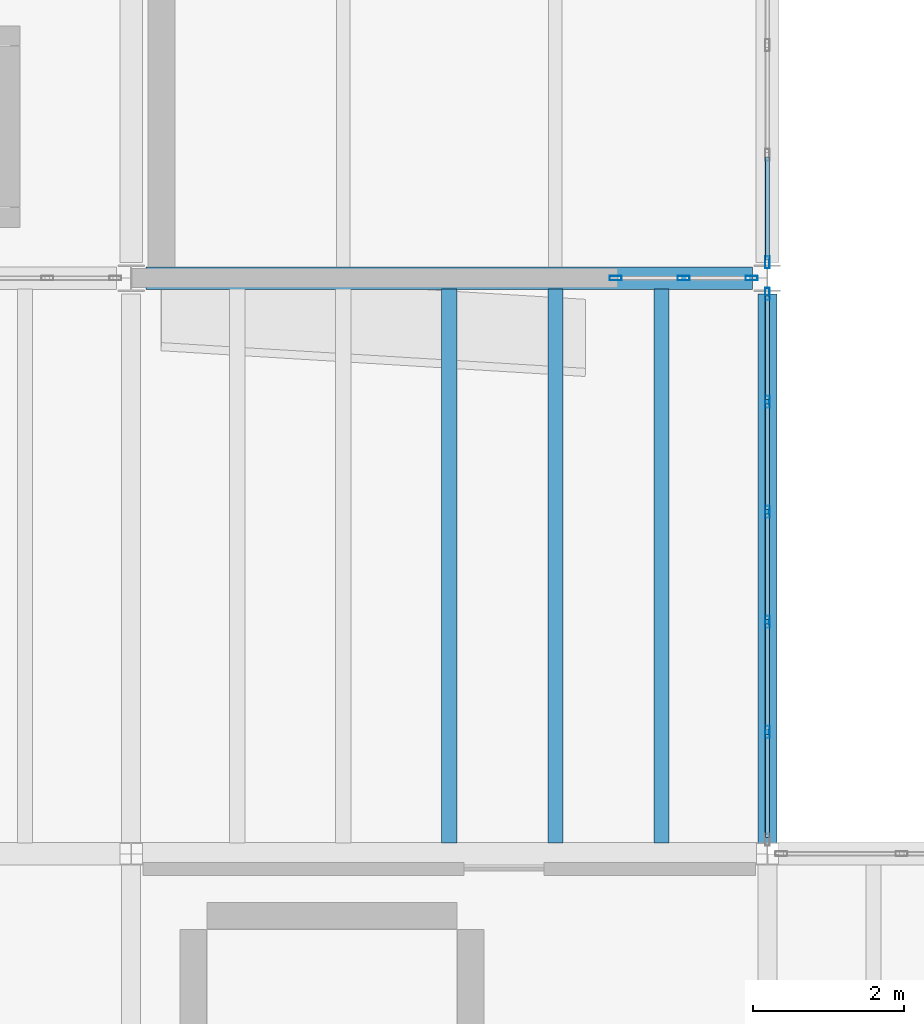
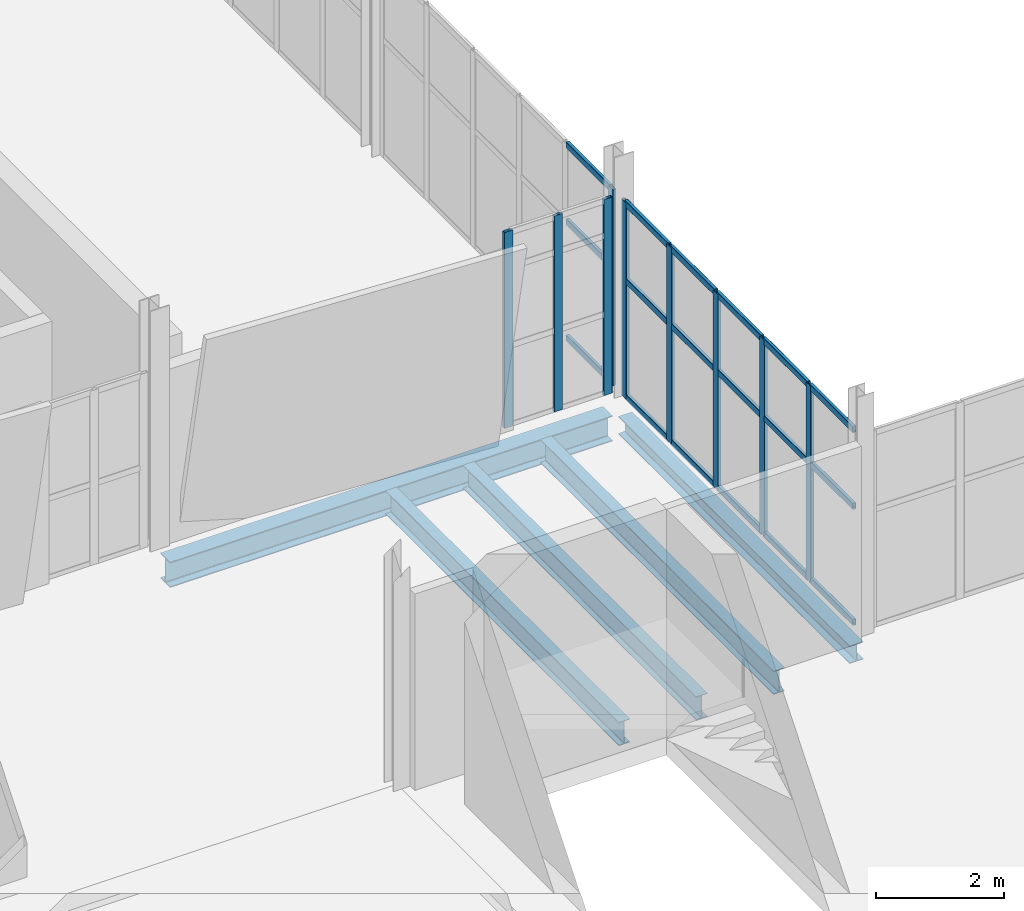
# One storey, part 30 of 172: 27 members, 5 beams, 3 elements without a shape of their own.
"""IFC4 building model written with IfcOpenShell, lengths in metres."""

from ifc_helpers import new_model, si_unit, direction, frame, origin, origin_2d, place, context, subcontext, project, spatial, hollow_rectangle, i_section, extrude, material, material_profile, profile_set, type_object, element, aggregate, save


model = new_model("IFC4")

# Units and contexts
model_context = context("Model", 3, precision=1e-05, world=origin(), true_north=direction((0.0, 1.0)))
body_context = subcontext(model_context, "Body", "Model", "MODEL_VIEW")
ifc_project = project(units=[si_unit("LENGTHUNIT", "METRE"), si_unit("AREAUNIT", "SQUARE_METRE"), si_unit("VOLUMEUNIT", "CUBIC_METRE"), si_unit("PLANEANGLEUNIT", "RADIAN"), si_unit("MASSUNIT", "GRAM", prefix="KILO")], contexts=[model_context])

# Site, building, storey
site_placement = place(None, origin())
site = spatial("IfcSite", under=ifc_project, at=site_placement, CompositionType="ELEMENT")
building_placement = place(site_placement, origin())
building = spatial("IfcBuilding", under=site, at=building_placement, Name="Shengluoqiao Park Theatre", CompositionType="ELEMENT")
storey_placement = place(building_placement, frame((0.0, 0.0, 5.39990234375)))
storey = spatial("IfcBuildingStorey", under=building, at=storey_placement, Name="L01", CompositionType="ELEMENT", Elevation=5.39990234375)

# Curtain wall, members
ifc_material_1 = material(Name="Aluminium 6063-T6", Category="aluminium")
curtain_wall_type_1 = type_object("IfcCurtainWallType", Name="ENV-CW-STUDIO", PredefinedType="NOTDEFINED", material=ifc_material_1)
curtain_wall_1_placement = place(storey_placement, origin())
curtain_wall_1 = element("IfcCurtainWall", 1, at=curtain_wall_1_placement, inside=storey, type_object=curtain_wall_type_1, Name="L01 Curtain Wall CWX-L01-0019", PredefinedType="NOTDEFINED")
ifc_material_profile_1 = material_profile(ifc_material_1, hollow_rectangle(XDim=0.06005859375, YDim=0.159912109375, WallThickness=0.00390625, InnerFilletRadius=0.00390625, OuterFilletRadius=0.008056640625, at=origin_2d()), Name="ALU MULLION 160x60x4")
ifc_profile_set_1 = profile_set([ifc_material_profile_1], Name="Aluminium 6063-T6")
member_type_1 = type_object("IfcMemberType", Name="ENV-MUL-160", PredefinedType="MULLION", material=ifc_profile_set_1)
member_1_placement = place(storey_placement, frame((33.99609375, 30.39990234375, 0.0), z_axis=(0.0, 0.0, 1.0), x_axis=(0.0, 1.0, 0.0)))
member_1 = element("IfcMember", 2, at=member_1_placement, type_object=member_type_1, Name="CW-02 mullion 1", PredefinedType="MULLION", context=body_context, shape_type="SweptSolid", body=[
    extrude(hollow_rectangle(XDim=0.06005859375, YDim=0.159912109375, WallThickness=0.00390625, InnerFilletRadius=0.00390625, OuterFilletRadius=0.008056640625, at=origin_2d()), origin(), (0.0, 0.0, 1.0), 3.75),
])
member_2_placement = place(storey_placement, frame((34.8935546875, 30.39990234375, 0.0), z_axis=(0.0, 0.0, 1.0), x_axis=(0.0, 1.0, 0.0)))
member_2 = element("IfcMember", 3, at=member_2_placement, type_object=member_type_1, Name="CW-02 mullion 2", PredefinedType="MULLION", context=body_context, shape_type="SweptSolid", body=[
    extrude(hollow_rectangle(XDim=0.06005859375, YDim=0.159912109375, WallThickness=0.00390625, InnerFilletRadius=0.00390625, OuterFilletRadius=0.008056640625, at=origin_2d()), origin(), (0.0, 0.0, 1.0), 3.75),
])
member_3_placement = place(storey_placement, frame((35.791015625, 30.39990234375, 0.0), z_axis=(0.0, 0.0, 1.0), x_axis=(0.0, 1.0, 0.0)))
member_3 = element("IfcMember", 4, at=member_3_placement, type_object=member_type_1, Name="CW-02 mullion 3", PredefinedType="MULLION", context=body_context, shape_type="SweptSolid", body=[
    extrude(hollow_rectangle(XDim=0.06005859375, YDim=0.159912109375, WallThickness=0.00390625, InnerFilletRadius=0.00390625, OuterFilletRadius=0.008056640625, at=origin_2d()), origin(), (0.0, 0.0, 1.0), 3.75),
])
aggregate(curtain_wall_1, [member_1, member_2, member_3])

# Curtain wall, member
curtain_wall_type_2 = type_object("IfcCurtainWallType", Name="ENV-CW-COURT", PredefinedType="NOTDEFINED", material=ifc_material_1)
curtain_wall_2_placement = place(storey_placement, origin())
curtain_wall_2 = element("IfcCurtainWall", 5, at=curtain_wall_2_placement, inside=storey, type_object=curtain_wall_type_2, Name="L01 Curtain Wall CWX-L01-0020", PredefinedType="NOTDEFINED")
member_4_placement = place(storey_placement, frame((36.0, 30.60888671875, 0.0), z_axis=(0.0, 0.0, 1.0), x_axis=(-1.0, 0.0, 0.0)))
member_4 = element("IfcMember", 6, at=member_4_placement, type_object=member_type_1, Name="CW-05 mullion 1", PredefinedType="MULLION", context=body_context, shape_type="SweptSolid", body=[
    extrude(hollow_rectangle(XDim=0.06005859375, YDim=0.159912109375, WallThickness=0.00390625, InnerFilletRadius=0.00390625, OuterFilletRadius=0.008056640625, at=origin_2d()), origin(), (0.0, 0.0, 1.0), 3.75),
])

# Curtain wall, members
curtain_wall_3_placement = place(storey_placement, origin())
curtain_wall_3 = element("IfcCurtainWall", 7, at=curtain_wall_3_placement, inside=storey, type_object=curtain_wall_type_2, Name="L01 Curtain Wall CWX-L01-0160", PredefinedType="NOTDEFINED")
member_5_placement = place(storey_placement, frame((36.0, 24.407470703125, 0.0), z_axis=(0.0, 0.0, 1.0), x_axis=(-1.0, 0.0, 0.0)))
member_5 = element("IfcMember", 8, at=member_5_placement, type_object=member_type_1, Name="CW-05 mullion 2", PredefinedType="MULLION", context=body_context, shape_type="SweptSolid", body=[
    extrude(hollow_rectangle(XDim=0.06005859375, YDim=0.159912109375, WallThickness=0.00390625, InnerFilletRadius=0.00390625, OuterFilletRadius=0.008056640625, at=origin_2d()), origin(), (0.0, 0.0, 1.0), 3.75),
])
member_6_placement = place(storey_placement, frame((36.0, 25.86083984375, 0.0), z_axis=(0.0, 0.0, 1.0), x_axis=(-1.0, 0.0, 0.0)))
member_6 = element("IfcMember", 9, at=member_6_placement, type_object=member_type_1, Name="CW-05 mullion 3", PredefinedType="MULLION", context=body_context, shape_type="SweptSolid", body=[
    extrude(hollow_rectangle(XDim=0.06005859375, YDim=0.159912109375, WallThickness=0.00390625, InnerFilletRadius=0.00390625, OuterFilletRadius=0.008056640625, at=origin_2d()), origin(), (0.0, 0.0, 1.0), 3.75),
])
member_7_placement = place(storey_placement, frame((36.0, 27.314208984375, 0.0), z_axis=(0.0, 0.0, 1.0), x_axis=(-1.0, 0.0, 0.0)))
member_7 = element("IfcMember", 10, at=member_7_placement, type_object=member_type_1, Name="CW-05 mullion 4", PredefinedType="MULLION", context=body_context, shape_type="SweptSolid", body=[
    extrude(hollow_rectangle(XDim=0.06005859375, YDim=0.159912109375, WallThickness=0.00390625, InnerFilletRadius=0.00390625, OuterFilletRadius=0.008056640625, at=origin_2d()), origin(), (0.0, 0.0, 1.0), 3.75),
])
member_8_placement = place(storey_placement, frame((36.0, 28.767578125, 0.0), z_axis=(0.0, 0.0, 1.0), x_axis=(-1.0, 0.0, 0.0)))
member_8 = element("IfcMember", 11, at=member_8_placement, type_object=member_type_1, Name="CW-05 mullion 5", PredefinedType="MULLION", context=body_context, shape_type="SweptSolid", body=[
    extrude(hollow_rectangle(XDim=0.06005859375, YDim=0.159912109375, WallThickness=0.00390625, InnerFilletRadius=0.00390625, OuterFilletRadius=0.008056640625, at=origin_2d()), origin(), (0.0, 0.0, 1.0), 3.75),
])
member_9_placement = place(storey_placement, frame((36.0, 30.19091796875, 0.0), z_axis=(0.0, 0.0, 1.0), x_axis=(-1.0, 0.0, 0.0)))
member_9 = element("IfcMember", 12, at=member_9_placement, type_object=member_type_1, Name="CW-05 mullion 6", PredefinedType="MULLION", context=body_context, shape_type="SweptSolid", body=[
    extrude(hollow_rectangle(XDim=0.06005859375, YDim=0.159912109375, WallThickness=0.00390625, InnerFilletRadius=0.00390625, OuterFilletRadius=0.008056640625, at=origin_2d()), origin(), (0.0, 0.0, 1.0), 3.75),
])

# Member
ifc_material_profile_2 = material_profile(ifc_material_1, hollow_rectangle(XDim=0.06005859375, YDim=0.1201171875, WallThickness=0.00390625, InnerFilletRadius=0.00390625, OuterFilletRadius=0.008056640625, at=origin_2d()), Name="ALU TRANSOM 120x60x4")
ifc_profile_set_2 = profile_set([ifc_material_profile_2], Name="Aluminium 6063-T6")
member_type_2 = type_object("IfcMemberType", Name="ENV-TRN-120", PredefinedType="USERDEFINED", material=ifc_profile_set_2)
member_10_placement = place(storey_placement, frame((36.0, 30.638916015625, 0.030029296875), z_axis=(0.0, 1.0, 0.0), x_axis=(-1.0, 0.0, 0.0)))
member_10 = element("IfcMember", 13, at=member_10_placement, type_object=member_type_2, Name="CW-05 transom 1.1", ObjectType="TRANSOM", PredefinedType="USERDEFINED", context=body_context, shape_type="SweptSolid", body=[
    extrude(hollow_rectangle(XDim=0.06005859375, YDim=0.1201171875, WallThickness=0.00390625, InnerFilletRadius=0.00390625, OuterFilletRadius=0.008056640625, at=origin_2d()), origin(), (0.0, 0.0, 1.0), 1.3583984375),
])

member_11_placement = place(storey_placement, frame((36.0, 30.638916015625, 2.25), z_axis=(0.0, 1.0, 0.0), x_axis=(-1.0, 0.0, 0.0)))
member_11 = element("IfcMember", 14, at=member_11_placement, type_object=member_type_2, Name="CW-05 transom 1.2", ObjectType="TRANSOM", PredefinedType="USERDEFINED", context=body_context, shape_type="SweptSolid", body=[
    extrude(hollow_rectangle(XDim=0.06005859375, YDim=0.1201171875, WallThickness=0.00390625, InnerFilletRadius=0.00390625, OuterFilletRadius=0.008056640625, at=origin_2d()), origin(), (0.0, 0.0, 1.0), 1.3583984375),
])

member_12_placement = place(storey_placement, frame((36.0, 30.638916015625, 3.72021484375), z_axis=(0.0, 1.0, 0.0), x_axis=(-1.0, 0.0, 0.0)))
member_12 = element("IfcMember", 15, at=member_12_placement, type_object=member_type_2, Name="CW-05 transom 1.3", ObjectType="TRANSOM", PredefinedType="USERDEFINED", context=body_context, shape_type="SweptSolid", body=[
    extrude(hollow_rectangle(XDim=0.06005859375, YDim=0.1201171875, WallThickness=0.00390625, InnerFilletRadius=0.00390625, OuterFilletRadius=0.008056640625, at=origin_2d()), origin(), (0.0, 0.0, 1.0), 1.3583984375),
])

aggregate(curtain_wall_2, [member_4, member_10, member_11, member_12])

member_13_placement = place(storey_placement, frame((36.0, 23.013916015625, 0.030029296875), z_axis=(0.0, 1.0, 0.0), x_axis=(-1.0, 0.0, 0.0)))
member_13 = element("IfcMember", 16, at=member_13_placement, type_object=member_type_2, Name="CW-05 transom 1.1", ObjectType="TRANSOM", PredefinedType="USERDEFINED", context=body_context, shape_type="SweptSolid", body=[
    extrude(hollow_rectangle(XDim=0.06005859375, YDim=0.1201171875, WallThickness=0.00390625, InnerFilletRadius=0.00390625, OuterFilletRadius=0.008056640625, at=origin_2d()), origin(), (0.0, 0.0, 1.0), 1.363525390625),
])

member_14_placement = place(storey_placement, frame((36.0, 23.013916015625, 2.25), z_axis=(0.0, 1.0, 0.0), x_axis=(-1.0, 0.0, 0.0)))
member_14 = element("IfcMember", 17, at=member_14_placement, type_object=member_type_2, Name="CW-05 transom 1.2", ObjectType="TRANSOM", PredefinedType="USERDEFINED", context=body_context, shape_type="SweptSolid", body=[
    extrude(hollow_rectangle(XDim=0.06005859375, YDim=0.1201171875, WallThickness=0.00390625, InnerFilletRadius=0.00390625, OuterFilletRadius=0.008056640625, at=origin_2d()), origin(), (0.0, 0.0, 1.0), 1.363525390625),
])

member_15_placement = place(storey_placement, frame((36.0, 23.013916015625, 3.72021484375), z_axis=(0.0, 1.0, 0.0), x_axis=(-1.0, 0.0, 0.0)))
member_15 = element("IfcMember", 18, at=member_15_placement, type_object=member_type_2, Name="CW-05 transom 1.3", ObjectType="TRANSOM", PredefinedType="USERDEFINED", context=body_context, shape_type="SweptSolid", body=[
    extrude(hollow_rectangle(XDim=0.06005859375, YDim=0.1201171875, WallThickness=0.00390625, InnerFilletRadius=0.00390625, OuterFilletRadius=0.008056640625, at=origin_2d()), origin(), (0.0, 0.0, 1.0), 1.363525390625),
])

member_16_placement = place(storey_placement, frame((36.0, 24.4375, 0.030029296875), z_axis=(0.0, 1.0, 0.0), x_axis=(-1.0, 0.0, 0.0)))
member_16 = element("IfcMember", 19, at=member_16_placement, type_object=member_type_2, Name="CW-05 transom 2.1", ObjectType="TRANSOM", PredefinedType="USERDEFINED", context=body_context, shape_type="SweptSolid", body=[
    extrude(hollow_rectangle(XDim=0.06005859375, YDim=0.1201171875, WallThickness=0.00390625, InnerFilletRadius=0.00390625, OuterFilletRadius=0.008056640625, at=origin_2d()), origin(), (0.0, 0.0, 1.0), 1.393310546875),
])

member_17_placement = place(storey_placement, frame((36.0, 24.4375, 2.25), z_axis=(0.0, 1.0, 0.0), x_axis=(-1.0, 0.0, 0.0)))
member_17 = element("IfcMember", 20, at=member_17_placement, type_object=member_type_2, Name="CW-05 transom 2.2", ObjectType="TRANSOM", PredefinedType="USERDEFINED", context=body_context, shape_type="SweptSolid", body=[
    extrude(hollow_rectangle(XDim=0.06005859375, YDim=0.1201171875, WallThickness=0.00390625, InnerFilletRadius=0.00390625, OuterFilletRadius=0.008056640625, at=origin_2d()), origin(), (0.0, 0.0, 1.0), 1.393310546875),
])

member_18_placement = place(storey_placement, frame((36.0, 24.4375, 3.72021484375), z_axis=(0.0, 1.0, 0.0), x_axis=(-1.0, 0.0, 0.0)))
member_18 = element("IfcMember", 21, at=member_18_placement, type_object=member_type_2, Name="CW-05 transom 2.3", ObjectType="TRANSOM", PredefinedType="USERDEFINED", context=body_context, shape_type="SweptSolid", body=[
    extrude(hollow_rectangle(XDim=0.06005859375, YDim=0.1201171875, WallThickness=0.00390625, InnerFilletRadius=0.00390625, OuterFilletRadius=0.008056640625, at=origin_2d()), origin(), (0.0, 0.0, 1.0), 1.393310546875),
])

member_19_placement = place(storey_placement, frame((36.0, 25.890869140625, 0.030029296875), z_axis=(0.0, 1.0, 0.0), x_axis=(-1.0, 0.0, 0.0)))
member_19 = element("IfcMember", 22, at=member_19_placement, type_object=member_type_2, Name="CW-05 transom 3.1", ObjectType="TRANSOM", PredefinedType="USERDEFINED", context=body_context, shape_type="SweptSolid", body=[
    extrude(hollow_rectangle(XDim=0.06005859375, YDim=0.1201171875, WallThickness=0.00390625, InnerFilletRadius=0.00390625, OuterFilletRadius=0.008056640625, at=origin_2d()), origin(), (0.0, 0.0, 1.0), 1.393310546875),
])

member_20_placement = place(storey_placement, frame((36.0, 25.890869140625, 2.25), z_axis=(0.0, 1.0, 0.0), x_axis=(-1.0, 0.0, 0.0)))
member_20 = element("IfcMember", 23, at=member_20_placement, type_object=member_type_2, Name="CW-05 transom 3.2", ObjectType="TRANSOM", PredefinedType="USERDEFINED", context=body_context, shape_type="SweptSolid", body=[
    extrude(hollow_rectangle(XDim=0.06005859375, YDim=0.1201171875, WallThickness=0.00390625, InnerFilletRadius=0.00390625, OuterFilletRadius=0.008056640625, at=origin_2d()), origin(), (0.0, 0.0, 1.0), 1.393310546875),
])

member_21_placement = place(storey_placement, frame((36.0, 25.890869140625, 3.72021484375), z_axis=(0.0, 1.0, 0.0), x_axis=(-1.0, 0.0, 0.0)))
member_21 = element("IfcMember", 24, at=member_21_placement, type_object=member_type_2, Name="CW-05 transom 3.3", ObjectType="TRANSOM", PredefinedType="USERDEFINED", context=body_context, shape_type="SweptSolid", body=[
    extrude(hollow_rectangle(XDim=0.06005859375, YDim=0.1201171875, WallThickness=0.00390625, InnerFilletRadius=0.00390625, OuterFilletRadius=0.008056640625, at=origin_2d()), origin(), (0.0, 0.0, 1.0), 1.393310546875),
])

member_22_placement = place(storey_placement, frame((36.0, 27.34423828125, 0.030029296875), z_axis=(0.0, 1.0, 0.0), x_axis=(-1.0, 0.0, 0.0)))
member_22 = element("IfcMember", 25, at=member_22_placement, type_object=member_type_2, Name="CW-05 transom 4.1", ObjectType="TRANSOM", PredefinedType="USERDEFINED", context=body_context, shape_type="SweptSolid", body=[
    extrude(hollow_rectangle(XDim=0.06005859375, YDim=0.1201171875, WallThickness=0.00390625, InnerFilletRadius=0.00390625, OuterFilletRadius=0.008056640625, at=origin_2d()), origin(), (0.0, 0.0, 1.0), 1.393310546875),
])

member_23_placement = place(storey_placement, frame((36.0, 27.34423828125, 2.25), z_axis=(0.0, 1.0, 0.0), x_axis=(-1.0, 0.0, 0.0)))
member_23 = element("IfcMember", 26, at=member_23_placement, type_object=member_type_2, Name="CW-05 transom 4.2", ObjectType="TRANSOM", PredefinedType="USERDEFINED", context=body_context, shape_type="SweptSolid", body=[
    extrude(hollow_rectangle(XDim=0.06005859375, YDim=0.1201171875, WallThickness=0.00390625, InnerFilletRadius=0.00390625, OuterFilletRadius=0.008056640625, at=origin_2d()), origin(), (0.0, 0.0, 1.0), 1.393310546875),
])

member_24_placement = place(storey_placement, frame((36.0, 27.34423828125, 3.72021484375), z_axis=(0.0, 1.0, 0.0), x_axis=(-1.0, 0.0, 0.0)))
member_24 = element("IfcMember", 27, at=member_24_placement, type_object=member_type_2, Name="CW-05 transom 4.3", ObjectType="TRANSOM", PredefinedType="USERDEFINED", context=body_context, shape_type="SweptSolid", body=[
    extrude(hollow_rectangle(XDim=0.06005859375, YDim=0.1201171875, WallThickness=0.00390625, InnerFilletRadius=0.00390625, OuterFilletRadius=0.008056640625, at=origin_2d()), origin(), (0.0, 0.0, 1.0), 1.393310546875),
])

member_25_placement = place(storey_placement, frame((36.0, 28.797607421875, 0.030029296875), z_axis=(0.0, 1.0, 0.0), x_axis=(-1.0, 0.0, 0.0)))
member_25 = element("IfcMember", 28, at=member_25_placement, type_object=member_type_2, Name="CW-05 transom 5.1", ObjectType="TRANSOM", PredefinedType="USERDEFINED", context=body_context, shape_type="SweptSolid", body=[
    extrude(hollow_rectangle(XDim=0.06005859375, YDim=0.1201171875, WallThickness=0.00390625, InnerFilletRadius=0.00390625, OuterFilletRadius=0.008056640625, at=origin_2d()), origin(), (0.0, 0.0, 1.0), 1.36328125),
])

member_26_placement = place(storey_placement, frame((36.0, 28.797607421875, 2.25), z_axis=(0.0, 1.0, 0.0), x_axis=(-1.0, 0.0, 0.0)))
member_26 = element("IfcMember", 29, at=member_26_placement, type_object=member_type_2, Name="CW-05 transom 5.2", ObjectType="TRANSOM", PredefinedType="USERDEFINED", context=body_context, shape_type="SweptSolid", body=[
    extrude(hollow_rectangle(XDim=0.06005859375, YDim=0.1201171875, WallThickness=0.00390625, InnerFilletRadius=0.00390625, OuterFilletRadius=0.008056640625, at=origin_2d()), origin(), (0.0, 0.0, 1.0), 1.36328125),
])

member_27_placement = place(storey_placement, frame((36.0, 28.797607421875, 3.72021484375), z_axis=(0.0, 1.0, 0.0), x_axis=(-1.0, 0.0, 0.0)))
member_27 = element("IfcMember", 30, at=member_27_placement, type_object=member_type_2, Name="CW-05 transom 5.3", ObjectType="TRANSOM", PredefinedType="USERDEFINED", context=body_context, shape_type="SweptSolid", body=[
    extrude(hollow_rectangle(XDim=0.06005859375, YDim=0.1201171875, WallThickness=0.00390625, InnerFilletRadius=0.00390625, OuterFilletRadius=0.008056640625, at=origin_2d()), origin(), (0.0, 0.0, 1.0), 1.36328125),
])

aggregate(curtain_wall_3, [member_5, member_6, member_7, member_8, member_9, member_13, member_14, member_15, member_16, member_17, member_18, member_19, member_20, member_21, member_22, member_23, member_24, member_25, member_26, member_27])

# Beams
ifc_material_2 = material(Name="Steel Q355", Category="steel")
ifc_material_profile_3 = material_profile(ifc_material_2, i_section(OverallWidth=0.25, OverallDepth=0.340087890625, WebThickness=0.009033203125, FlangeThickness=0.013916015625, FilletRadius=0.01611328125, at=origin_2d()), Name="HM 340x250x9x14")
ifc_profile_set_3 = profile_set([ifc_material_profile_3], Name="Steel Q355")
beam_type_1 = type_object("IfcBeamType", Name="STR-BM-G-HM340", PredefinedType="BEAM", material=ifc_profile_set_3)
beam_1_placement = place(storey_placement, frame((36.0, 22.944091796875, -0.510009765625), z_axis=(0.0, 1.0, 0.0), x_axis=(-1.0, 0.0, 0.0)))
element("IfcBeam", 31, at=beam_1_placement, inside=storey, type_object=beam_type_1, Name="L01 Transverse Girder 00446", PredefinedType="BEAM", context=body_context, shape_type="SweptSolid", body=[
    extrude(i_section(OverallWidth=0.25, OverallDepth=0.340087890625, WebThickness=0.009033203125, FlangeThickness=0.013916015625, FilletRadius=0.01611328125, at=origin_2d()), origin(), (0.0, 0.0, 1.0), 7.247802734375),
])
ifc_material_profile_4 = material_profile(ifc_material_2, i_section(OverallWidth=0.300048828125, OverallDepth=0.488037109375, WebThickness=0.010986328125, FlangeThickness=0.01806640625, FilletRadius=0.02197265625, at=origin_2d()), Name="HM 488x300x11x18")
ifc_profile_set_4 = profile_set([ifc_material_profile_4], Name="Steel Q355")
beam_type_2 = type_object("IfcBeamType", Name="STR-BM-G-HM488", PredefinedType="BEAM", material=ifc_profile_set_4)
beam_2_placement = place(storey_placement, frame((27.797607421875, 30.39990234375, -0.583984375), z_axis=(1.0, 0.0, 0.0), x_axis=(0.0, 1.0, 0.0)))
element("IfcBeam", 32, at=beam_2_placement, inside=storey, type_object=beam_type_2, Name="L01 Primary Girder 00392", PredefinedType="BEAM", context=body_context, shape_type="SweptSolid", body=[
    extrude(i_section(OverallWidth=0.300048828125, OverallDepth=0.488037109375, WebThickness=0.010986328125, FlangeThickness=0.01806640625, FilletRadius=0.02197265625, at=origin_2d()), origin(), (0.0, 0.0, 1.0), 8.0048828125),
])
ifc_material_profile_5 = material_profile(ifc_material_2, i_section(OverallWidth=0.199951171875, OverallDepth=0.449951171875, WebThickness=0.009033203125, FlangeThickness=0.013916015625, FilletRadius=0.01611328125, at=origin_2d()), Name="HN 450x200x9x14")
ifc_profile_set_5 = profile_set([ifc_material_profile_5], Name="Steel Q355")
beam_type_3 = type_object("IfcBeamType", Name="STR-BM-J-HN450", PredefinedType="JOIST", material=ifc_profile_set_5)
for number, where, z_axis, x_axis, name in (
    (33, (31.800048828125, 22.945068359375, -0.56494140625), (0.0, 1.0, 0.0), (-1.0, 0.0, 0.0), "L01 Composite Joist 00454"),
    (34, (33.199951171875, 22.945068359375, -0.56494140625), (0.0, 1.0, 0.0), (-1.0, 0.0, 0.0), "L01 Composite Joist 00455"),
    (35, (34.60009765625, 22.945068359375, -0.56494140625), (0.0, 1.0, 0.0), (-1.0, 0.0, 0.0), "L01 Composite Joist 00456"),
):
    element("IfcBeam", number, at=place(storey_placement, frame(where, z_axis=z_axis, x_axis=x_axis)), inside=storey, type_object=beam_type_3, Name=name, PredefinedType="JOIST", context=body_context, shape_type="SweptSolid", body=[
        extrude(i_section(OverallWidth=0.199951171875, OverallDepth=0.449951171875, WebThickness=0.009033203125, FlangeThickness=0.013916015625, FilletRadius=0.01611328125, at=origin_2d()), origin(), (0.0, 0.0, 1.0), 7.309814453125),
    ])

save(model, "model.ifc")
